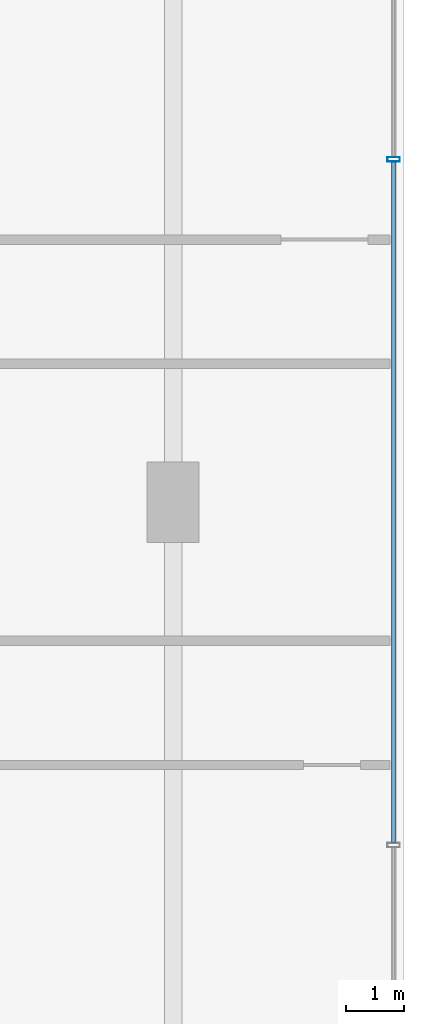
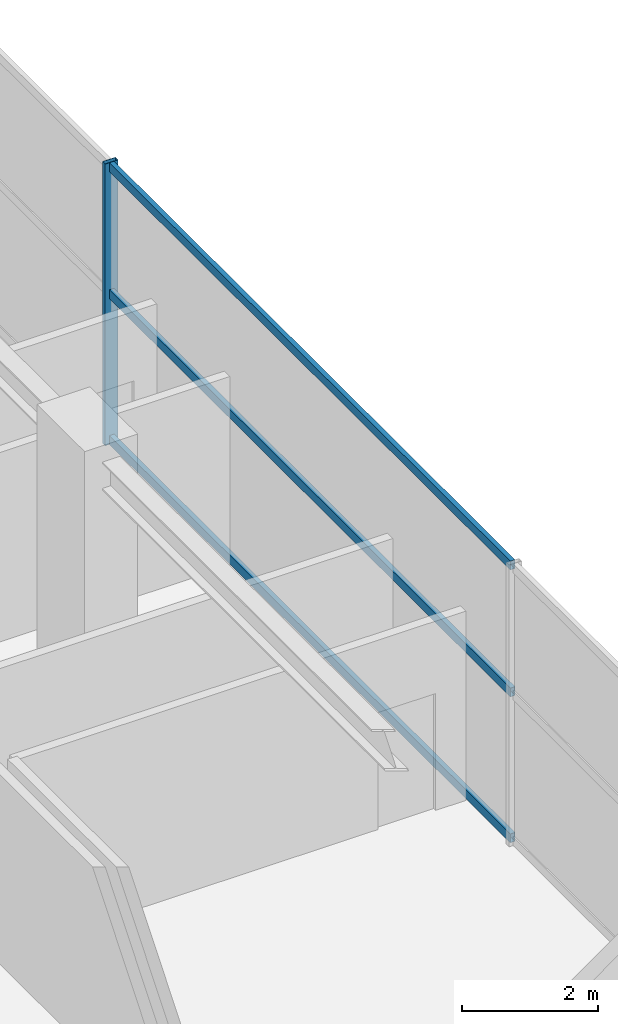
# One storey, part 23 of 32: 4 members, 1 element without a shape of its own.
"""IFC4 building model written with IfcOpenShell, lengths in metres."""

from ifc_helpers import new_model, si_unit, direction, frame, origin, origin_2d, place, context, subcontext, project, spatial, hollow_rectangle, extrude, source, transform, mapped, material, material_profile, profile_set, type_object, element, aggregate, save


model = new_model("IFC4")

# Units and contexts
model_context = context("Model", 3, precision=1e-05, world=origin(), true_north=direction((0.0, 1.0)))
body_context = subcontext(model_context, "Body", "Model", "MODEL_VIEW")
ifc_project = project(units=[si_unit("LENGTHUNIT", "METRE"), si_unit("AREAUNIT", "SQUARE_METRE"), si_unit("VOLUMEUNIT", "CUBIC_METRE"), si_unit("PLANEANGLEUNIT", "RADIAN"), si_unit("MASSUNIT", "GRAM", prefix="KILO")], contexts=[model_context])

# Site, building, storey
site_placement = place(None, origin())
site = spatial("IfcSite", under=ifc_project, at=site_placement, CompositionType="ELEMENT")
building_placement = place(site_placement, origin())
building = spatial("IfcBuilding", under=site, at=building_placement, Name="Nahalor Promenade Grand Hotel", CompositionType="ELEMENT")
storey_placement = place(building_placement, frame((0.0, 0.0, 10.800048828125)))
storey = spatial("IfcBuildingStorey", under=building, at=storey_placement, Name="L02", CompositionType="ELEMENT", Elevation=10.800048828125)

# Curtain wall, members
ifc_material = material(Name="Anodised Bronze Aluminium EN AW-6063 T6", Category="aluminium")
curtain_wall_type = type_object("IfcCurtainWallType", Name="CW1 Waterfront Podium Bronze Arcade Curtain Wall", PredefinedType="USERDEFINED", material=ifc_material)
curtain_wall_placement = place(storey_placement, origin())
curtain_wall = element("IfcCurtainWall", 1, at=curtain_wall_placement, inside=storey, type_object=curtain_wall_type, Name="L02 Curtain Wall CW-L02-E", ObjectType="UNITISED_CURTAIN_WALL", PredefinedType="USERDEFINED")
ifc_material_profile_1 = material_profile(ifc_material, hollow_rectangle(XDim=0.08, YDim=0.16, WallThickness=0.004, at=origin_2d()), Name="CWT 80x160x4")
ifc_profile_set_1 = profile_set([ifc_material_profile_1], Name="Anodised Bronze Aluminium EN AW-6063 T6")
member_type_1 = type_object("IfcMemberType", Name="CWT1 Podium Bronze Transom 80x160", PredefinedType="USERDEFINED", material=ifc_profile_set_1)
shared_shape_1 = source(origin(), body_context, "Body", "SweptSolid", [
    extrude(hollow_rectangle(XDim=0.08, YDim=0.16, WallThickness=0.004, at=origin_2d()), origin(), (0.0, 0.0, 1.0), 11.7998046875),
])
member_1_placement = place(storey_placement, frame((36.820068359375, -5.89990234375, 0.079833984375), z_axis=(0.0, 1.0, 0.0), x_axis=(-1.0, 0.0, 0.0)))
member_1 = element("IfcMember", 2, at=member_1_placement, type_object=member_type_1, Name="CW-L02-E Transom 1-0", ObjectType="TRANSOM", PredefinedType="USERDEFINED", context=body_context, shape_type="MappedRepresentation", body=[
    mapped(shared_shape_1, transform((0.0, 0.0, 0.0), scale=1.0)),
])
member_2_placement = place(storey_placement, frame((36.820068359375, -5.89990234375, 2.699951171875), z_axis=(0.0, 1.0, 0.0), x_axis=(-1.0, 0.0, 0.0)))
member_2 = element("IfcMember", 3, at=member_2_placement, type_object=member_type_1, Name="CW-L02-E Transom 1-1", ObjectType="TRANSOM", PredefinedType="USERDEFINED", context=body_context, shape_type="MappedRepresentation", body=[
    mapped(shared_shape_1, transform((0.0, 0.0, 0.0), scale=1.0)),
])
member_3_placement = place(storey_placement, frame((36.820068359375, -5.89990234375, 4.97998046875), z_axis=(0.0, 1.0, 0.0), x_axis=(-1.0, 0.0, 0.0)))
member_3 = element("IfcMember", 4, at=member_3_placement, type_object=member_type_1, Name="CW-L02-E Transom 1-2", ObjectType="TRANSOM", PredefinedType="USERDEFINED", context=body_context, shape_type="MappedRepresentation", body=[
    mapped(shared_shape_1, transform((0.0, 0.0, 0.0), scale=1.0)),
])
ifc_material_profile_2 = material_profile(ifc_material, hollow_rectangle(XDim=0.08, YDim=0.22, WallThickness=0.005, at=origin_2d()), Name="CWM 80x220x5")
ifc_profile_set_2 = profile_set([ifc_material_profile_2], Name="Anodised Bronze Aluminium EN AW-6063 T6")
member_type_2 = type_object("IfcMemberType", Name="CWM1 Podium Bronze Mullion 80x220", PredefinedType="MULLION", material=ifc_profile_set_2)
shared_shape_2 = source(origin(), body_context, "Body", "SweptSolid", [
    extrude(hollow_rectangle(XDim=0.08, YDim=0.22, WallThickness=0.005, at=origin_2d()), origin(), (0.0, 0.0, 1.0), 5.06005859375),
])
member_4_placement = place(storey_placement, frame((36.820068359375, 5.93994140625, 0.0), z_axis=(0.0, 0.0, 1.0), x_axis=(0.0, 1.0, 0.0)))
member_4 = element("IfcMember", 5, at=member_4_placement, type_object=member_type_2, Name="CW-L02-E Mullion 2", PredefinedType="MULLION", context=body_context, shape_type="MappedRepresentation", body=[
    mapped(shared_shape_2, transform((0.0, 0.0, 0.0), scale=1.0)),
])
aggregate(curtain_wall, [member_4, member_1, member_2, member_3])

save(model, "model.ifc")
